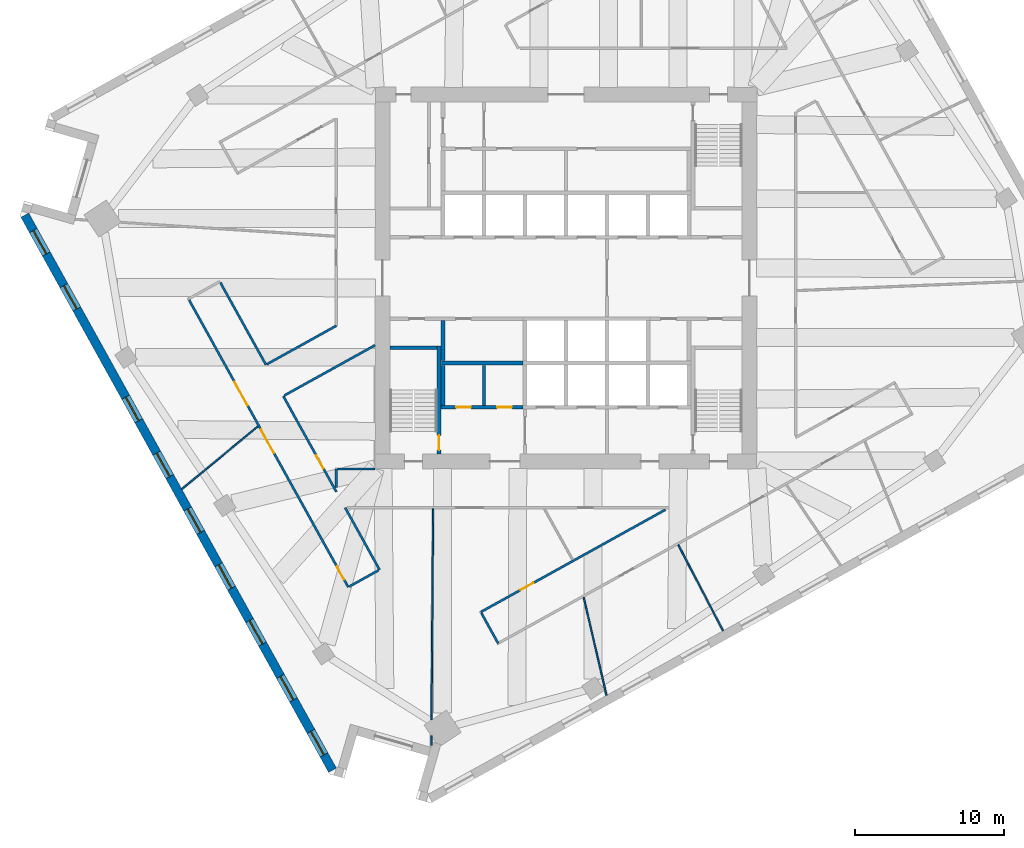
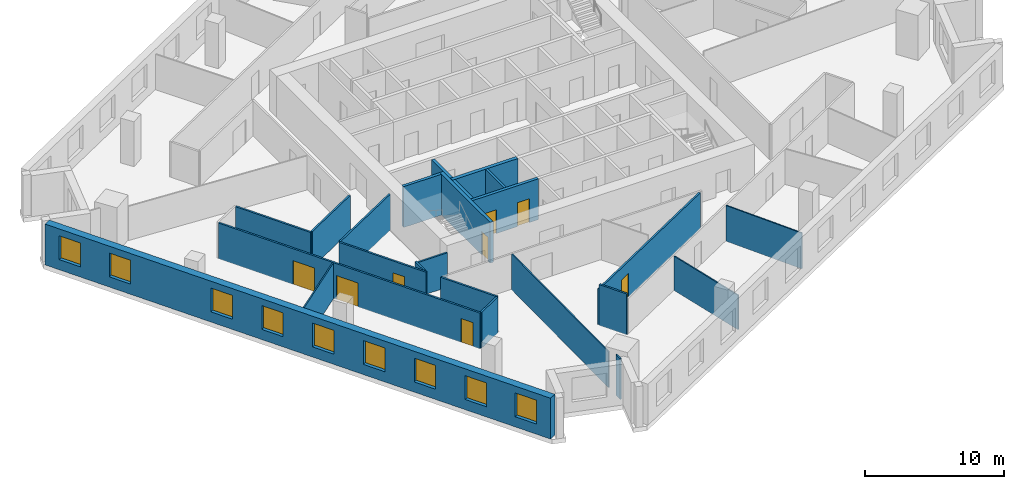
# One storey, part 5 of 12: 24 walls, 9 windows, 8 doors, 17 openings.
"""IFC4 building model written with IfcOpenShell, lengths in metres."""

from ifc_helpers import new_model, si_unit, direction, frame, frame_2d, origin, place, context, subcontext, project, spatial, rectangle, extrude, material, layer, layer_set, type_object, element, fill, save


model = new_model("IFC4")

# Units and contexts
model_context = context("Model", 3, precision=1e-05, world=origin(), true_north=direction((0.0, 1.0)))
body_context = subcontext(model_context, "Body", "Model", "MODEL_VIEW")
ifc_project = project(units=[si_unit("LENGTHUNIT", "METRE"), si_unit("AREAUNIT", "SQUARE_METRE"), si_unit("VOLUMEUNIT", "CUBIC_METRE"), si_unit("PLANEANGLEUNIT", "RADIAN"), si_unit("MASSUNIT", "GRAM", prefix="KILO")], contexts=[model_context])

# Site, building, storey
site_placement = place(None, origin())
site = spatial("IfcSite", under=ifc_project, at=site_placement, CompositionType="ELEMENT")
building_placement = place(site_placement, origin())
building = spatial("IfcBuilding", under=site, at=building_placement, Name="Dilmun Exchange Tower", CompositionType="ELEMENT")
storey_placement = place(building_placement, frame((0.0, 0.0, 139.699951171875)))
storey = spatial("IfcBuildingStorey", under=building, at=storey_placement, Name="L32", CompositionType="ELEMENT", Elevation=139.699951171875)

# Wall
ifc_material_1 = material(Name="Concrete C40/50", Category="concrete")
ifc_layer_1 = layer(ifc_material_1, 0.199951171875)
ifc_layer_set_1 = layer_set([ifc_layer_1], Name="Concrete C40/50")
wall_type_1 = type_object("IfcWallType", Name="Core partition wall 200", PredefinedType="PARTITIONING", material=ifc_layer_set_1)
wall_1_placement = place(storey_placement, frame((-5.5, -8.544921875, 0.0), z_axis=(0.0, 0.0, 1.0), x_axis=(0.0, 1.0, 0.0)))
element("IfcWall", 1, at=wall_1_placement, inside=storey, type_object=wall_type_1, Name="L32 core partition wall 05", PredefinedType="PARTITIONING", context=body_context, shape_type="SweptSolid", body=[
    extrude(rectangle(XDim=2.68994140625, YDim=0.199951171875, at=frame_2d((1.344970703125, 0.0))), origin(), (0.0, 0.0, 1.0), 3.60009765625),
])

# Wall, openings, doors
ifc_layer_2 = layer(ifc_material_1, 0.25)
ifc_layer_set_2 = layer_set([ifc_layer_2], Name="Concrete C40/50")
wall_type_2 = type_object("IfcWallType", Name="Core partition wall 250", PredefinedType="PARTITIONING", material=ifc_layer_set_2)
wall_2_placement = place(storey_placement, frame((-8.3701171875, -8.675048828125, 0.0), z_axis=(0.0, 0.0, 1.0), x_axis=(1.0, 0.0, 0.0)))
wall_2 = element("IfcWall", 2, at=wall_2_placement, inside=storey, type_object=wall_type_2, Name="L32 core partition wall 03", PredefinedType="PARTITIONING", context=body_context, shape_type="SweptSolid", body=[
    extrude(rectangle(XDim=5.490234375, YDim=0.25, at=frame_2d((2.7451171875, 0.0))), origin(), (0.0, 0.0, 1.0), 3.60009765625),
])
opening_1_placement = place(wall_2_placement, frame((0.9951171875, 0.0, 0.0)))
opening_1 = element("IfcOpeningElement", 3, at=opening_1_placement, cuts=wall_2, Name="Opening CD4", PredefinedType="OPENING", context=body_context, shape_type="SweptSolid", body=[
    extrude(rectangle(XDim=1.0, YDim=2.10009765625, at=frame_2d((0.5, 1.050048828125))), frame((0.0, 0.135009765625, 0.0), z_axis=(0.0, -1.0, 0.0), x_axis=(1.0, 0.0, 0.0)), (0.0, 0.0, 1.0), 0.27001953125),
])
opening_2_placement = place(wall_2_placement, frame((3.7451171875, 0.0, 0.0)))
opening_2 = element("IfcOpeningElement", 4, at=opening_2_placement, cuts=wall_2, Name="Opening CD4", PredefinedType="OPENING", context=body_context, shape_type="SweptSolid", body=[
    extrude(rectangle(XDim=1.0, YDim=2.10009765625, at=frame_2d((0.5, 1.050048828125))), frame((0.0, 0.135009765625, 0.0), z_axis=(0.0, -1.0, 0.0), x_axis=(1.0, 0.0, 0.0)), (0.0, 0.0, 1.0), 0.27001953125),
])
ifc_material_2 = material(Name="Fire-rated steel door set", Category="steel")
door_type_1 = type_object("IfcDoorType", Name="Core room door 1000x2100", OperationType="SINGLE_SWING_LEFT", PredefinedType="DOOR", material=ifc_material_2)
door_1_placement = place(opening_1_placement, origin())
door_1 = element("IfcDoor", 5, at=door_1_placement, inside=storey, type_object=door_type_1, Name="L32 door Male WC", OperationType="SINGLE_SWING_LEFT", OverallHeight=2.10009765625, OverallWidth=1.0, PredefinedType="DOOR", context=body_context, shape_type="SweptSolid", body=[
    extrude(rectangle(XDim=1.0, YDim=2.10009765625, at=frame_2d((0.5, 1.050048828125))), frame((0.0, 0.02490234375, 0.0), z_axis=(0.0, -1.0, 0.0), x_axis=(1.0, 0.0, 0.0)), (0.0, 0.0, 1.0), 0.050048828125),
])
fill(opening_1, door_1)
door_2_placement = place(opening_2_placement, origin())
door_2 = element("IfcDoor", 6, at=door_2_placement, inside=storey, type_object=door_type_1, Name="L32 door Female WC", OperationType="SINGLE_SWING_LEFT", OverallHeight=2.10009765625, OverallWidth=1.0, PredefinedType="DOOR", context=body_context, shape_type="SweptSolid", body=[
    extrude(rectangle(XDim=1.0, YDim=2.10009765625, at=frame_2d((0.5, 1.050048828125))), frame((0.0, 0.02490234375, 0.0), z_axis=(0.0, -1.0, 0.0), x_axis=(1.0, 0.0, 0.0)), (0.0, 0.0, 1.0), 0.050048828125),
])
fill(opening_2, door_2)

# Walls
for number, where, z_axis, x_axis, name in (
    (7, (-8.25, -8.544921875, 0.0), (0.0, 0.0, 1.0), (0.0, 1.0, 0.0), "L32 core partition wall 04"),
    (8, (-8.25, -5.544921875, 0.0), (0.0, 0.0, 1.0), (0.0, 1.0, 0.0), "L32 core partition wall 07"),
):
    element("IfcWall", number, at=place(storey_placement, frame(where, z_axis=z_axis, x_axis=x_axis)), inside=storey, type_object=wall_type_2, Name=name, PredefinedType="PARTITIONING", context=body_context, shape_type="SweptSolid", body=[
        extrude(rectangle(XDim=2.68994140625, YDim=0.25, at=frame_2d((1.344970703125, 0.0))), origin(), (0.0, 0.0, 1.0), 3.60009765625),
    ])
ifc_layer_3 = layer(ifc_material_1, 0.300048828125)
ifc_layer_set_3 = layer_set([ifc_layer_3], Name="Concrete C40/50")
wall_type_3 = type_object("IfcWallType", Name="Core partition wall 300", PredefinedType="PARTITIONING", material=ifc_layer_set_3)
wall_3_placement = place(storey_placement, frame((-8.35009765625, -5.699951171875, 0.0), z_axis=(0.0, 0.0, 1.0), x_axis=(1.0, 0.0, 0.0)))
element("IfcWall", 9, at=wall_3_placement, inside=storey, type_object=wall_type_3, Name="L32 core partition wall 06", PredefinedType="PARTITIONING", context=body_context, shape_type="SweptSolid", body=[
    extrude(rectangle(XDim=5.47021484375, YDim=0.300048828125, at=frame_2d((2.735107421875, 0.0))), origin(), (0.0, 0.0, 1.0), 3.60009765625),
])

# Wall, openings, doors
ifc_material_3 = material(Name="Corridor wall 150")
ifc_layer_4 = layer(ifc_material_3, 0.14990234375)
ifc_layer_set_4 = layer_set([ifc_layer_4], Name="Corridor wall 150")
wall_type_4 = type_object("IfcWallType", Name="Corridor wall 150", PredefinedType="PARTITIONING", material=ifc_layer_set_4)
wall_4_placement = place(storey_placement, frame((-25.278564453125, -1.466552734375, 0.0), z_axis=(0.0, 0.0, 1.0), x_axis=(0.484803020703, -0.874623365294, 0.0)))
wall_4 = element("IfcWall", 10, at=wall_4_placement, inside=storey, type_object=wall_type_4, Name="Corridor wall", PredefinedType="PARTITIONING", context=body_context, shape_type="SweptSolid", body=[
    extrude(rectangle(XDim=22.020263671875, YDim=0.14990234375, at=frame_2d((11.01025390625, 0.0))), origin(), (0.0, 0.0, 1.0), 3.150146484375),
])
opening_3_placement = place(wall_4_placement, frame((6.300048828125, 0.0, 0.0)))
opening_3 = element("IfcOpeningElement", 11, at=opening_3_placement, cuts=wall_4, Name="Opening TF31-D01", PredefinedType="OPENING", context=body_context, shape_type="SweptSolid", body=[
    extrude(rectangle(XDim=1.800048828125, YDim=2.10009765625, at=frame_2d((0.89990234375, 1.050048828125))), frame((0.0, 0.0849609375, 0.0), z_axis=(0.0, -1.0, 0.0), x_axis=(1.0, 0.0, 0.0)), (0.0, 0.0, 1.0), 0.169921875),
])
opening_4_placement = place(wall_4_placement, frame((9.94775390625, 0.0, 0.0)))
opening_4 = element("IfcOpeningElement", 12, at=opening_4_placement, cuts=wall_4, Name="Opening TF31-D05", PredefinedType="OPENING", context=body_context, shape_type="SweptSolid", body=[
    extrude(rectangle(XDim=1.800048828125, YDim=2.10009765625, at=frame_2d((0.89990234375, 1.050048828125))), frame((0.0, 0.0849609375, 0.0), z_axis=(0.0, -1.0, 0.0), x_axis=(1.0, 0.0, 0.0)), (0.0, 0.0, 1.0), 0.169921875),
])
opening_5_placement = place(wall_4_placement, frame((20.44775390625, 0.0, 0.0)))
opening_5 = element("IfcOpeningElement", 13, at=opening_5_placement, cuts=wall_4, Name="Opening TF31-D06", PredefinedType="OPENING", context=body_context, shape_type="SweptSolid", body=[
    extrude(rectangle(XDim=1.0, YDim=2.10009765625, at=frame_2d((0.5, 1.050048828125))), frame((0.0, 0.0849609375, 0.0), z_axis=(0.0, -1.0, 0.0), x_axis=(1.0, 0.0, 0.0)), (0.0, 0.0, 1.0), 0.169921875),
])
ifc_material_4 = material(Name="Fire door 1000 x 2100")
door_type_2 = type_object("IfcDoorType", Name="Fire door 1000 x 2100", OperationType="NOTDEFINED", PredefinedType="DOOR", material=ifc_material_4)
door_3_placement = place(opening_5_placement, frame((1.0, 0.0, 0.0), z_axis=(0.0, 0.0, 1.0), x_axis=(-1.0, 0.0, 0.0)))
door_3 = element("IfcDoor", 14, at=door_3_placement, inside=storey, type_object=door_type_2, Name="Door TF31-D06", OperationType="SINGLE_SWING_LEFT", OverallHeight=2.10009765625, OverallWidth=1.0, PredefinedType="DOOR", context=body_context, shape_type="SweptSolid", body=[
    extrude(rectangle(XDim=1.0, YDim=2.10009765625, at=frame_2d((0.5, 1.050048828125))), frame((0.0, 0.02490234375, 0.0), z_axis=(0.0, -1.0, 0.0), x_axis=(1.0, 0.0, 0.0)), (0.0, 0.0, 1.0), 0.050048828125),
])
fill(opening_5, door_3)
ifc_material_5 = material(Name="Fire door pair 1800 x 2100")
door_type_3 = type_object("IfcDoorType", Name="Fire door pair 1800 x 2100", OperationType="NOTDEFINED", PredefinedType="DOOR", material=ifc_material_5)
door_4_placement = place(opening_3_placement, frame((1.800048828125, 0.0, 0.0), z_axis=(0.0, 0.0, 1.0), x_axis=(-1.0, 0.0, 0.0)))
door_4 = element("IfcDoor", 15, at=door_4_placement, inside=storey, type_object=door_type_3, Name="Door TF31-D01", OperationType="DOUBLE_DOOR_SINGLE_SWING", OverallHeight=2.10009765625, OverallWidth=1.800048828125, PredefinedType="DOOR", context=body_context, shape_type="SweptSolid", body=[
    extrude(rectangle(XDim=1.800048828125, YDim=2.10009765625, at=frame_2d((0.89990234375, 1.050048828125))), frame((0.0, 0.02490234375, 0.0), z_axis=(0.0, -1.0, 0.0), x_axis=(1.0, 0.0, 0.0)), (0.0, 0.0, 1.0), 0.050048828125),
])
fill(opening_3, door_4)
door_5_placement = place(opening_4_placement, frame((1.800048828125, 0.0, 0.0), z_axis=(0.0, 0.0, 1.0), x_axis=(-1.0, 0.0, 0.0)))
door_5 = element("IfcDoor", 16, at=door_5_placement, inside=storey, type_object=door_type_3, Name="Door TF31-D05", OperationType="DOUBLE_DOOR_SINGLE_SWING", OverallHeight=2.10009765625, OverallWidth=1.800048828125, PredefinedType="DOOR", context=body_context, shape_type="SweptSolid", body=[
    extrude(rectangle(XDim=1.800048828125, YDim=2.10009765625, at=frame_2d((0.89990234375, 1.050048828125))), frame((0.0, 0.02490234375, 0.0), z_axis=(0.0, -1.0, 0.0), x_axis=(1.0, 0.0, 0.0)), (0.0, 0.0, 1.0), 0.050048828125),
])
fill(opening_4, door_5)

# Walls
wall_5_placement = place(storey_placement, frame((-23.1796875, -0.302490234375, 0.0), z_axis=(0.0, 0.0, 1.0), x_axis=(0.48477505554, -0.874638865776, 0.0)))
element("IfcWall", 17, at=wall_5_placement, inside=storey, type_object=wall_type_4, Name="Corridor wall", PredefinedType="PARTITIONING", context=body_context, shape_type="SweptSolid", body=[
    extrude(rectangle(XDim=6.307373046875, YDim=0.14990234375, at=frame_2d((3.15380859375, 0.0))), origin(), (0.0, 0.0, 1.0), 3.150146484375),
])
wall_6_placement = place(storey_placement, frame((-20.056396484375, -5.78271484375, 0.0), z_axis=(0.0, 0.0, 1.0), x_axis=(0.874645694613, 0.484762734638, 0.0)))
element("IfcWall", 18, at=wall_6_placement, inside=storey, type_object=wall_type_4, Name="Corridor wall", PredefinedType="PARTITIONING", context=body_context, shape_type="SweptSolid", body=[
    extrude(rectangle(XDim=5.323974609375, YDim=0.14990234375, at=frame_2d((2.662109375, 0.0))), origin(), (0.0, 0.0, 1.0), 3.150146484375),
])

# Wall, opening, door
wall_7_placement = place(storey_placement, frame((-18.958984375, -7.91796875, 0.0), z_axis=(0.0, 0.0, 1.0), x_axis=(0.484857684507, -0.874593062958, 0.0)))
wall_7 = element("IfcWall", 19, at=wall_7_placement, inside=storey, type_object=wall_type_4, Name="Corridor wall", PredefinedType="PARTITIONING", context=body_context, shape_type="SweptSolid", body=[
    extrude(rectangle(XDim=7.340576171875, YDim=0.14990234375, at=frame_2d((3.67041015625, 0.0))), origin(), (0.0, 0.0, 1.0), 3.150146484375),
])
opening_6_placement = place(wall_7_placement, frame((4.55029296875, 0.0, 0.0)))
opening_6 = element("IfcOpeningElement", 20, at=opening_6_placement, cuts=wall_7, Name="Opening TF31-D07", PredefinedType="OPENING", context=body_context, shape_type="SweptSolid", body=[
    extrude(rectangle(XDim=1.0, YDim=2.10009765625, at=frame_2d((0.5, 1.050048828125))), frame((0.0, 0.0849609375, 0.0), z_axis=(0.0, -1.0, 0.0), x_axis=(1.0, 0.0, 0.0)), (0.0, 0.0, 1.0), 0.169921875),
])
door_6_placement = place(opening_6_placement, origin())
door_6 = element("IfcDoor", 21, at=door_6_placement, inside=storey, type_object=door_type_2, Name="Door TF31-D07", OperationType="SINGLE_SWING_LEFT", OverallHeight=2.10009765625, OverallWidth=1.0, PredefinedType="DOOR", context=body_context, shape_type="SweptSolid", body=[
    extrude(rectangle(XDim=1.0, YDim=2.10009765625, at=frame_2d((0.5, 1.050048828125))), frame((0.0, 0.02490234375, 0.0), z_axis=(0.0, -1.0, 0.0), x_axis=(1.0, 0.0, 0.0)), (0.0, 0.0, 1.0), 0.050048828125),
])
fill(opening_6, door_6)

# Walls
wall_8_placement = place(storey_placement, frame((-18.893310546875, -7.881591796875, 0.0), z_axis=(0.0, 0.0, 1.0), x_axis=(0.874670900287, 0.484717253861, 0.0)))
element("IfcWall", 22, at=wall_8_placement, inside=storey, type_object=wall_type_4, Name="Corridor wall", PredefinedType="PARTITIONING", context=body_context, shape_type="SweptSolid", body=[
    extrude(rectangle(XDim=6.96630859375, YDim=0.14990234375, at=frame_2d((3.483154296875, 0.0))), origin(), (0.0, 0.0, 1.0), 3.150146484375),
])
wall_9_placement = place(storey_placement, frame((-15.39990234375, -14.048095703125, 0.0), z_axis=(0.0, 0.0, 1.0), x_axis=(0.0, 1.0, 0.0)))
element("IfcWall", 23, at=wall_9_placement, inside=storey, type_object=wall_type_4, Name="Corridor wall", PredefinedType="PARTITIONING", context=body_context, shape_type="SweptSolid", body=[
    extrude(rectangle(XDim=1.248046875, YDim=0.14990234375, at=frame_2d((0.6240234375, 0.0))), origin(), (0.0, 0.0, 1.0), 3.150146484375),
])
wall_10_placement = place(storey_placement, frame((-15.324951171875, -12.800048828125, 0.0), z_axis=(0.0, 0.0, 1.0), x_axis=(1.0, 0.0, 0.0)))
element("IfcWall", 24, at=wall_10_placement, inside=storey, type_object=wall_type_4, Name="Corridor wall", PredefinedType="PARTITIONING", context=body_context, shape_type="SweptSolid", body=[
    extrude(rectangle(XDim=2.52490234375, YDim=0.14990234375, at=frame_2d((1.262451171875, 0.0))), origin(), (0.0, 0.0, 1.0), 3.030029296875),
])
wall_11_placement = place(storey_placement, frame((-14.81103515625, -15.39990234375, 0.0), z_axis=(0.0, 0.0, 1.0), x_axis=(0.484728084089, -0.874664898401, 0.0)))
element("IfcWall", 25, at=wall_11_placement, inside=storey, type_object=wall_type_4, Name="Corridor wall", PredefinedType="PARTITIONING", context=body_context, shape_type="SweptSolid", body=[
    extrude(rectangle(XDim=4.759521484375, YDim=0.14990234375, at=frame_2d((2.3798828125, 0.0))), origin(), (0.0, 0.0, 1.0), 3.150146484375),
])
wall_12_placement = place(storey_placement, frame((-14.537353515625, -20.689697265625, 0.0), z_axis=(0.0, 0.0, 1.0), x_axis=(0.874699347934, 0.48466591661, 0.0)))
element("IfcWall", 26, at=wall_12_placement, inside=storey, type_object=wall_type_4, Name="Corridor wall", PredefinedType="PARTITIONING", context=body_context, shape_type="SweptSolid", body=[
    extrude(rectangle(XDim=2.249755859375, YDim=0.14990234375, at=frame_2d((1.125, 0.0))), origin(), (0.0, 0.0, 1.0), 3.150146484375),
])

# Wall, opening, door
wall_13_placement = place(storey_placement, frame((-5.714111328125, -22.39892578125, 0.0), z_axis=(0.0, 0.0, 1.0), x_axis=(0.874614395079, 0.484819203334, 0.0)))
wall_13 = element("IfcWall", 27, at=wall_13_placement, inside=storey, type_object=wall_type_4, Name="Corridor wall", PredefinedType="PARTITIONING", context=body_context, shape_type="SweptSolid", body=[
    extrude(rectangle(XDim=14.146240234375, YDim=0.14990234375, at=frame_2d((7.0732421875, 0.0))), origin(), (0.0, 0.0, 1.0), 3.150146484375),
])
opening_7_placement = place(wall_13_placement, frame((3.050048828125, 0.0, 0.0)))
opening_7 = element("IfcOpeningElement", 28, at=opening_7_placement, cuts=wall_13, Name="Opening TF31-D11", PredefinedType="OPENING", context=body_context, shape_type="SweptSolid", body=[
    extrude(rectangle(XDim=1.0, YDim=2.10009765625, at=frame_2d((0.5, 1.050048828125))), frame((0.0, 0.0849609375, 0.0), z_axis=(0.0, -1.0, 0.0), x_axis=(1.0, 0.0, 0.0)), (0.0, 0.0, 1.0), 0.169921875),
])
door_7_placement = place(opening_7_placement, origin())
door_7 = element("IfcDoor", 29, at=door_7_placement, inside=storey, type_object=door_type_2, Name="Door TF31-D11", OperationType="SINGLE_SWING_LEFT", OverallHeight=2.10009765625, OverallWidth=1.0, PredefinedType="DOOR", context=body_context, shape_type="SweptSolid", body=[
    extrude(rectangle(XDim=1.0, YDim=2.10009765625, at=frame_2d((0.5, 1.050048828125))), frame((0.0, 0.02490234375, 0.0), z_axis=(0.0, -1.0, 0.0), x_axis=(1.0, 0.0, 0.0)), (0.0, 0.0, 1.0), 0.050048828125),
])
fill(opening_7, door_7)

# Walls
wall_14_placement = place(storey_placement, frame((-5.677490234375, -22.464599609375, 0.0), z_axis=(0.0, 0.0, 1.0), x_axis=(0.484902784843, -0.874568058673, 0.0)))
element("IfcWall", 30, at=wall_14_placement, inside=storey, type_object=wall_type_4, Name="Corridor wall", PredefinedType="PARTITIONING", context=body_context, shape_type="SweptSolid", body=[
    extrude(rectangle(XDim=2.3251953125, YDim=0.14990234375, at=frame_2d((1.16259765625, 0.0))), origin(), (0.0, 0.0, 1.0), 3.60009765625),
])
ifc_material_6 = material(Name="Partition 100")
ifc_layer_5 = layer(ifc_material_6, 0.10009765625)
ifc_layer_set_5 = layer_set([ifc_layer_5], Name="Partition 100")
wall_type_5 = type_object("IfcWallType", Name="Partition 100", PredefinedType="PARTITIONING", material=ifc_layer_set_5)
wall_15_placement = place(storey_placement, frame((-25.76513671875, -14.15673828125, 0.0), z_axis=(0.0, 0.0, 1.0), x_axis=(0.772001730939, 0.635620427164, 0.0)))
element("IfcWall", 31, at=wall_15_placement, inside=storey, type_object=wall_type_5, Name="Partition", PredefinedType="PARTITIONING", context=body_context, shape_type="SweptSolid", body=[
    extrude(rectangle(XDim=6.603759765625, YDim=0.10009765625, at=frame_2d((3.3017578125, 0.0))), origin(), (0.0, 0.0, 1.0), 3.150146484375),
])
wall_16_placement = place(storey_placement, frame((-9.0361328125, -31.340087890625, 0.0), z_axis=(0.0, 0.0, 1.0), x_axis=(0.008145579251, 0.999966824219, 0.0)))
element("IfcWall", 32, at=wall_16_placement, inside=storey, type_object=wall_type_5, Name="Partition", PredefinedType="PARTITIONING", context=body_context, shape_type="SweptSolid", body=[
    extrude(rectangle(XDim=0.62939453125, YDim=0.10009765625, at=frame_2d((0.314697265625, 0.0))), origin(), (0.0, 0.0, 1.0), 3.60009765625),
])
wall_17_placement = place(storey_placement, frame((-9.022705078125, -29.63720703125, 0.0), z_axis=(0.0, 0.0, 1.0), x_axis=(0.007843639619, 0.999969238186, 0.0)))
element("IfcWall", 33, at=wall_17_placement, inside=storey, type_object=wall_type_5, Name="Partition", PredefinedType="PARTITIONING", context=body_context, shape_type="SweptSolid", body=[
    extrude(rectangle(XDim=14.162353515625, YDim=0.10009765625, at=frame_2d((7.0810546875, 0.0))), origin(), (0.0, 0.0, 1.0), 3.150146484375),
])
wall_18_placement = place(storey_placement, frame((1.18798828125, -21.4189453125, 0.0), z_axis=(0.0, 0.0, 1.0), x_axis=(0.226360220424, -0.974043659499, 0.0)))
element("IfcWall", 34, at=wall_18_placement, inside=storey, type_object=wall_type_5, Name="Partition", PredefinedType="PARTITIONING", context=body_context, shape_type="SweptSolid", body=[
    extrude(rectangle(XDim=6.747314453125, YDim=0.10009765625, at=frame_2d((3.37353515625, 0.0))), origin(), (0.0, 0.0, 1.0), 3.030029296875),
])
wall_19_placement = place(storey_placement, frame((7.5244140625, -17.892578125, 0.0), z_axis=(0.0, 0.0, 1.0), x_axis=(0.462569855846, -0.886582837902, 0.0)))
element("IfcWall", 35, at=wall_19_placement, inside=storey, type_object=wall_type_5, Name="Partition", PredefinedType="PARTITIONING", context=body_context, shape_type="SweptSolid", body=[
    extrude(rectangle(XDim=6.5029296875, YDim=0.10009765625, at=frame_2d((3.25146484375, 0.0))), origin(), (0.0, 0.0, 1.0), 3.150146484375),
])

# Wall, openings, windows
ifc_material_7 = material(Name="Precast concrete C50/60", Category="concrete")
ifc_layer_6 = layer(ifc_material_7, 0.60009765625)
ifc_layer_set_6 = layer_set([ifc_layer_6], Name="Precast concrete C50/60")
wall_type_6 = type_object("IfcWallType", Name="Precast stone-clad wall 600", PredefinedType="STANDARD", material=ifc_layer_set_6)
wall_20_placement = place(storey_placement, frame((-36.291015625, 4.209228515625, 0.0), z_axis=(0.0, 0.0, 1.0), x_axis=(0.484810659622, -0.874619131003, 0.0)))
wall_20 = element("IfcWall", 36, at=wall_20_placement, inside=storey, type_object=wall_type_6, Name="Facade wall L32-09", PredefinedType="STANDARD", context=body_context, shape_type="SweptSolid", body=[
    extrude(rectangle(XDim=42.551513671875, YDim=0.60009765625, at=frame_2d((21.27587890625, 0.0))), origin(), (0.0, 0.0, 1.0), 3.60009765625),
])
opening_8_placement = place(wall_20_placement, frame((1.177978515625, 0.0, 0.89990234375)))
opening_8 = element("IfcOpeningElement", 37, at=opening_8_placement, cuts=wall_20, Name="Opening W180-210", PredefinedType="OPENING", context=body_context, shape_type="SweptSolid", body=[
    extrude(rectangle(XDim=1.800048828125, YDim=2.10009765625, at=frame_2d((0.89990234375, 1.050048828125))), frame((0.0, 0.31005859375, 0.0), z_axis=(0.0, -1.0, 0.0), x_axis=(1.0, 0.0, 0.0)), (0.0, 0.0, 1.0), 0.6201171875),
])
opening_9_placement = place(wall_20_placement, frame((5.395751953125, 0.0, 0.89990234375)))
opening_9 = element("IfcOpeningElement", 38, at=opening_9_placement, cuts=wall_20, Name="Opening W180-210", PredefinedType="OPENING", context=body_context, shape_type="SweptSolid", body=[
    extrude(rectangle(XDim=1.800048828125, YDim=2.10009765625, at=frame_2d((0.89990234375, 1.050048828125))), frame((0.0, 0.31005859375, 0.0), z_axis=(0.0, -1.0, 0.0), x_axis=(1.0, 0.0, 0.0)), (0.0, 0.0, 1.0), 0.6201171875),
])
opening_10_placement = place(wall_20_placement, frame((13.955810546875, 0.0, 0.89990234375)))
opening_10 = element("IfcOpeningElement", 39, at=opening_10_placement, cuts=wall_20, Name="Opening W180-210", PredefinedType="OPENING", context=body_context, shape_type="SweptSolid", body=[
    extrude(rectangle(XDim=1.800048828125, YDim=2.10009765625, at=frame_2d((0.89990234375, 1.050048828125))), frame((0.0, 0.31005859375, 0.0), z_axis=(0.0, -1.0, 0.0), x_axis=(1.0, 0.0, 0.0)), (0.0, 0.0, 1.0), 0.6201171875),
])
opening_11_placement = place(wall_20_placement, frame((18.235595703125, 0.0, 0.89990234375)))
opening_11 = element("IfcOpeningElement", 40, at=opening_11_placement, cuts=wall_20, Name="Opening W180-210", PredefinedType="OPENING", context=body_context, shape_type="SweptSolid", body=[
    extrude(rectangle(XDim=1.800048828125, YDim=2.10009765625, at=frame_2d((0.89990234375, 1.050048828125))), frame((0.0, 0.31005859375, 0.0), z_axis=(0.0, -1.0, 0.0), x_axis=(1.0, 0.0, 0.0)), (0.0, 0.0, 1.0), 0.6201171875),
])
opening_12_placement = place(wall_20_placement, frame((22.515625, 0.0, 0.89990234375)))
opening_12 = element("IfcOpeningElement", 41, at=opening_12_placement, cuts=wall_20, Name="Opening W180-210", PredefinedType="OPENING", context=body_context, shape_type="SweptSolid", body=[
    extrude(rectangle(XDim=1.800048828125, YDim=2.10009765625, at=frame_2d((0.89990234375, 1.050048828125))), frame((0.0, 0.31005859375, 0.0), z_axis=(0.0, -1.0, 0.0), x_axis=(1.0, 0.0, 0.0)), (0.0, 0.0, 1.0), 0.6201171875),
])
opening_13_placement = place(wall_20_placement, frame((26.795654296875, 0.0, 0.89990234375)))
opening_13 = element("IfcOpeningElement", 42, at=opening_13_placement, cuts=wall_20, Name="Opening W180-210", PredefinedType="OPENING", context=body_context, shape_type="SweptSolid", body=[
    extrude(rectangle(XDim=1.800048828125, YDim=2.10009765625, at=frame_2d((0.89990234375, 1.050048828125))), frame((0.0, 0.31005859375, 0.0), z_axis=(0.0, -1.0, 0.0), x_axis=(1.0, 0.0, 0.0)), (0.0, 0.0, 1.0), 0.6201171875),
])
opening_14_placement = place(wall_20_placement, frame((31.07568359375, 0.0, 0.89990234375)))
opening_14 = element("IfcOpeningElement", 43, at=opening_14_placement, cuts=wall_20, Name="Opening W180-210", PredefinedType="OPENING", context=body_context, shape_type="SweptSolid", body=[
    extrude(rectangle(XDim=1.800048828125, YDim=2.10009765625, at=frame_2d((0.89990234375, 1.050048828125))), frame((0.0, 0.31005859375, 0.0), z_axis=(0.0, -1.0, 0.0), x_axis=(1.0, 0.0, 0.0)), (0.0, 0.0, 1.0), 0.6201171875),
])
opening_15_placement = place(wall_20_placement, frame((35.355712890625, 0.0, 0.89990234375)))
opening_15 = element("IfcOpeningElement", 44, at=opening_15_placement, cuts=wall_20, Name="Opening W180-210", PredefinedType="OPENING", context=body_context, shape_type="SweptSolid", body=[
    extrude(rectangle(XDim=1.800048828125, YDim=2.10009765625, at=frame_2d((0.89990234375, 1.050048828125))), frame((0.0, 0.31005859375, 0.0), z_axis=(0.0, -1.0, 0.0), x_axis=(1.0, 0.0, 0.0)), (0.0, 0.0, 1.0), 0.6201171875),
])
opening_16_placement = place(wall_20_placement, frame((39.573486328125, 0.0, 0.89990234375)))
opening_16 = element("IfcOpeningElement", 45, at=opening_16_placement, cuts=wall_20, Name="Opening W180-210", PredefinedType="OPENING", context=body_context, shape_type="SweptSolid", body=[
    extrude(rectangle(XDim=1.800048828125, YDim=2.10009765625, at=frame_2d((0.89990234375, 1.050048828125))), frame((0.0, 0.31005859375, 0.0), z_axis=(0.0, -1.0, 0.0), x_axis=(1.0, 0.0, 0.0)), (0.0, 0.0, 1.0), 0.6201171875),
])
ifc_material_8 = material(Name="Clear low-emissivity glass in aluminium frame", Category="aluminium")
window_type = type_object("IfcWindowType", Name="Punched window 1800 x 2100", PartitioningType="DOUBLE_PANEL_VERTICAL", PredefinedType="WINDOW", material=ifc_material_8)
window_1_placement = place(opening_8_placement, origin())
window_1 = element("IfcWindow", 46, at=window_1_placement, inside=storey, type_object=window_type, Name="Window 10.1", OverallHeight=2.10009765625, OverallWidth=1.800048828125, PartitioningType="SINGLE_PANEL", PredefinedType="WINDOW", context=body_context, shape_type="SweptSolid", body=[
    extrude(rectangle(XDim=1.800048828125, YDim=2.10009765625, at=frame_2d((0.89990234375, 1.050048828125))), frame((0.0, 0.030029296875, 0.0), z_axis=(0.0, -1.0, 0.0), x_axis=(1.0, 0.0, 0.0)), (0.0, 0.0, 1.0), 0.06005859375),
])
fill(opening_8, window_1)
window_2_placement = place(opening_9_placement, origin())
window_2 = element("IfcWindow", 47, at=window_2_placement, inside=storey, type_object=window_type, Name="Window 10.2", OverallHeight=2.10009765625, OverallWidth=1.800048828125, PartitioningType="SINGLE_PANEL", PredefinedType="WINDOW", context=body_context, shape_type="SweptSolid", body=[
    extrude(rectangle(XDim=1.800048828125, YDim=2.10009765625, at=frame_2d((0.89990234375, 1.050048828125))), frame((0.0, 0.030029296875, 0.0), z_axis=(0.0, -1.0, 0.0), x_axis=(1.0, 0.0, 0.0)), (0.0, 0.0, 1.0), 0.06005859375),
])
fill(opening_9, window_2)
window_3_placement = place(opening_10_placement, origin())
window_3 = element("IfcWindow", 48, at=window_3_placement, inside=storey, type_object=window_type, Name="Window 10.4", OverallHeight=2.10009765625, OverallWidth=1.800048828125, PartitioningType="SINGLE_PANEL", PredefinedType="WINDOW", context=body_context, shape_type="SweptSolid", body=[
    extrude(rectangle(XDim=1.800048828125, YDim=2.10009765625, at=frame_2d((0.89990234375, 1.050048828125))), frame((0.0, 0.030029296875, 0.0), z_axis=(0.0, -1.0, 0.0), x_axis=(1.0, 0.0, 0.0)), (0.0, 0.0, 1.0), 0.06005859375),
])
fill(opening_10, window_3)
window_4_placement = place(opening_11_placement, origin())
window_4 = element("IfcWindow", 49, at=window_4_placement, inside=storey, type_object=window_type, Name="Window 10.5", OverallHeight=2.10009765625, OverallWidth=1.800048828125, PartitioningType="SINGLE_PANEL", PredefinedType="WINDOW", context=body_context, shape_type="SweptSolid", body=[
    extrude(rectangle(XDim=1.800048828125, YDim=2.10009765625, at=frame_2d((0.89990234375, 1.050048828125))), frame((0.0, 0.030029296875, 0.0), z_axis=(0.0, -1.0, 0.0), x_axis=(1.0, 0.0, 0.0)), (0.0, 0.0, 1.0), 0.06005859375),
])
fill(opening_11, window_4)
window_5_placement = place(opening_12_placement, origin())
window_5 = element("IfcWindow", 50, at=window_5_placement, inside=storey, type_object=window_type, Name="Window 10.6", OverallHeight=2.10009765625, OverallWidth=1.800048828125, PartitioningType="SINGLE_PANEL", PredefinedType="WINDOW", context=body_context, shape_type="SweptSolid", body=[
    extrude(rectangle(XDim=1.800048828125, YDim=2.10009765625, at=frame_2d((0.89990234375, 1.050048828125))), frame((0.0, 0.030029296875, 0.0), z_axis=(0.0, -1.0, 0.0), x_axis=(1.0, 0.0, 0.0)), (0.0, 0.0, 1.0), 0.06005859375),
])
fill(opening_12, window_5)
window_6_placement = place(opening_13_placement, origin())
window_6 = element("IfcWindow", 51, at=window_6_placement, inside=storey, type_object=window_type, Name="Window 10.7", OverallHeight=2.10009765625, OverallWidth=1.800048828125, PartitioningType="SINGLE_PANEL", PredefinedType="WINDOW", context=body_context, shape_type="SweptSolid", body=[
    extrude(rectangle(XDim=1.800048828125, YDim=2.10009765625, at=frame_2d((0.89990234375, 1.050048828125))), frame((0.0, 0.030029296875, 0.0), z_axis=(0.0, -1.0, 0.0), x_axis=(1.0, 0.0, 0.0)), (0.0, 0.0, 1.0), 0.06005859375),
])
fill(opening_13, window_6)
window_7_placement = place(opening_14_placement, origin())
window_7 = element("IfcWindow", 52, at=window_7_placement, inside=storey, type_object=window_type, Name="Window 10.8", OverallHeight=2.10009765625, OverallWidth=1.800048828125, PartitioningType="SINGLE_PANEL", PredefinedType="WINDOW", context=body_context, shape_type="SweptSolid", body=[
    extrude(rectangle(XDim=1.800048828125, YDim=2.10009765625, at=frame_2d((0.89990234375, 1.050048828125))), frame((0.0, 0.030029296875, 0.0), z_axis=(0.0, -1.0, 0.0), x_axis=(1.0, 0.0, 0.0)), (0.0, 0.0, 1.0), 0.06005859375),
])
fill(opening_14, window_7)
window_8_placement = place(opening_15_placement, origin())
window_8 = element("IfcWindow", 53, at=window_8_placement, inside=storey, type_object=window_type, Name="Window 10.9", OverallHeight=2.10009765625, OverallWidth=1.800048828125, PartitioningType="SINGLE_PANEL", PredefinedType="WINDOW", context=body_context, shape_type="SweptSolid", body=[
    extrude(rectangle(XDim=1.800048828125, YDim=2.10009765625, at=frame_2d((0.89990234375, 1.050048828125))), frame((0.0, 0.030029296875, 0.0), z_axis=(0.0, -1.0, 0.0), x_axis=(1.0, 0.0, 0.0)), (0.0, 0.0, 1.0), 0.06005859375),
])
fill(opening_15, window_8)
window_9_placement = place(opening_16_placement, origin())
window_9 = element("IfcWindow", 54, at=window_9_placement, inside=storey, type_object=window_type, Name="Window 10.10", OverallHeight=2.10009765625, OverallWidth=1.800048828125, PartitioningType="SINGLE_PANEL", PredefinedType="WINDOW", context=body_context, shape_type="SweptSolid", body=[
    extrude(rectangle(XDim=1.800048828125, YDim=2.10009765625, at=frame_2d((0.89990234375, 1.050048828125))), frame((0.0, 0.030029296875, 0.0), z_axis=(0.0, -1.0, 0.0), x_axis=(1.0, 0.0, 0.0)), (0.0, 0.0, 1.0), 0.06005859375),
])
fill(opening_16, window_9)

# Wall
ifc_layer_7 = layer(ifc_material_1, 0.25)
ifc_layer_set_7 = layer_set([ifc_layer_7], Name="Concrete C40/50")
wall_type_7 = type_object("IfcWallType", Name="Stair end wall 250", PredefinedType="SOLIDWALL", material=ifc_layer_set_7)
wall_21_placement = place(storey_placement, frame((-8.64990234375, -4.675048828125, 0.0), z_axis=(0.0, 0.0, 1.0), x_axis=(-1.0, 0.0, 0.0)))
element("IfcWall", 55, at=wall_21_placement, inside=storey, type_object=wall_type_7, Name="L32 ST2 far wall", PredefinedType="SOLIDWALL", context=body_context, shape_type="SweptSolid", body=[
    extrude(rectangle(XDim=3.150146484375, YDim=0.25, at=frame_2d((1.5751953125, 0.0))), origin(), (0.0, 0.0, 1.0), 3.60009765625),
])

# Wall, opening, door
ifc_layer_8 = layer(ifc_material_1, 0.27490234375)
ifc_layer_set_8 = layer_set([ifc_layer_8], Name="Concrete C40/50")
wall_type_8 = type_object("IfcWallType", Name="Stair wall 275", PredefinedType="SOLIDWALL", material=ifc_layer_set_8)
wall_22_placement = place(storey_placement, frame((-8.512451171875, -4.550048828125, 0.0), z_axis=(0.0, 0.0, 1.0), x_axis=(0.0, -1.0, 0.0)))
wall_22 = element("IfcWall", 56, at=wall_22_placement, inside=storey, type_object=wall_type_8, Name="L32 ST2 wall to lift block", PredefinedType="SOLIDWALL", context=body_context, shape_type="SweptSolid", body=[
    extrude(rectangle(XDim=7.25, YDim=0.27490234375, at=frame_2d((3.625, 0.0))), origin(), (0.0, 0.0, 1.0), 3.60009765625),
])
opening_17_placement = place(wall_22_placement, frame((6.0, 0.0, 0.0)))
opening_17 = element("IfcOpeningElement", 57, at=opening_17_placement, cuts=wall_22, Name="Opening CD4", PredefinedType="OPENING", context=body_context, shape_type="SweptSolid", body=[
    extrude(rectangle(XDim=1.0, YDim=2.10009765625, at=frame_2d((0.5, 1.050048828125))), frame((0.0, 0.1474609375, 0.0), z_axis=(0.0, -1.0, 0.0), x_axis=(1.0, 0.0, 0.0)), (0.0, 0.0, 1.0), 0.294921875),
])
door_8_placement = place(opening_17_placement, origin())
door_8 = element("IfcDoor", 58, at=door_8_placement, inside=storey, type_object=door_type_1, Name="L32 door ST2 from lobby", OperationType="SINGLE_SWING_LEFT", OverallHeight=2.10009765625, OverallWidth=1.0, PredefinedType="DOOR", context=body_context, shape_type="SweptSolid", body=[
    extrude(rectangle(XDim=1.0, YDim=2.10009765625, at=frame_2d((0.5, 1.050048828125))), frame((0.0, 0.02490234375, 0.0), z_axis=(0.0, -1.0, 0.0), x_axis=(1.0, 0.0, 0.0)), (0.0, 0.0, 1.0), 0.050048828125),
])
fill(opening_17, door_8)

save(model, "model.ifc")
